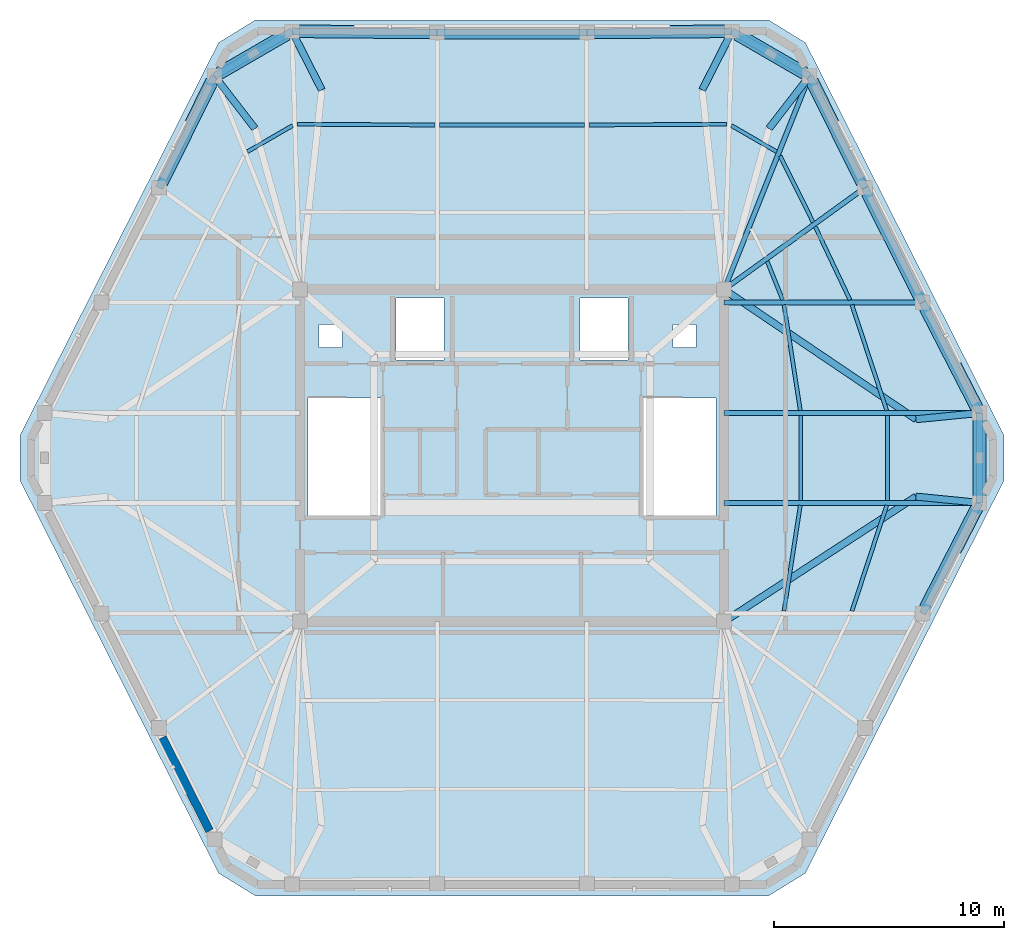
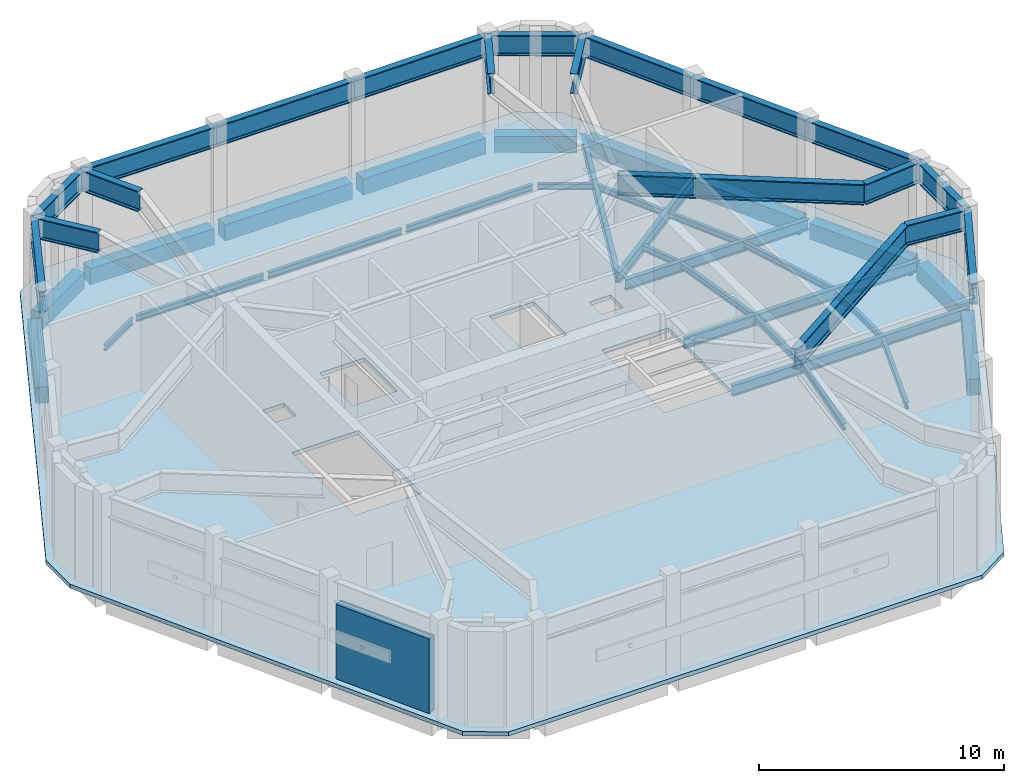
# One storey, part 3 of 6: 49 beams, 1 slab, 1 wall.
"""IFC4 building model written with IfcOpenShell, lengths in metres."""

from ifc_helpers import new_model, si_unit, direction, frame, frame_2d, origin, origin_2d, place, context, subcontext, project, spatial, polyline, rectangle, i_section, outline, extrude, material, layer, layer_set, material_profile, profile_set, type_object, element, save


model = new_model("IFC4")

# Units and contexts
model_context = context("Model", 3, precision=1e-05, world=origin(), true_north=direction((0.0, 1.0)))
body_context = subcontext(model_context, "Body", "Model", "MODEL_VIEW")
ifc_project = project(units=[si_unit("LENGTHUNIT", "METRE"), si_unit("AREAUNIT", "SQUARE_METRE"), si_unit("VOLUMEUNIT", "CUBIC_METRE"), si_unit("PLANEANGLEUNIT", "RADIAN"), si_unit("MASSUNIT", "GRAM", prefix="KILO")], contexts=[model_context])

# Site, building, storey
site_placement = place(None, origin())
site = spatial("IfcSite", under=ifc_project, at=site_placement, CompositionType="ELEMENT")
building_placement = place(site_placement, origin())
building = spatial("IfcBuilding", under=site, at=building_placement, Name="Cinnabar Lancet Tower", CompositionType="ELEMENT")
storey_placement = place(building_placement, frame((0.0, 0.0, 300.5)))
storey = spatial("IfcBuildingStorey", under=building, at=storey_placement, Name="L79", CompositionType="ELEMENT", Elevation=300.5)

# Beams
ifc_material_1 = material(Name="Structural steel S355", Category="steel")
ifc_material_profile_1 = material_profile(ifc_material_1, i_section(OverallWidth=0.1650390625, OverallDepth=0.303466796875, WebThickness=0.006103515625, FlangeThickness=0.01025390625, FilletRadius=0.0087890625, at=origin_2d()), Name="UKB 305x165x40")
ifc_profile_set_1 = profile_set([ifc_material_profile_1], Name="Structural steel S355")
beam_type_1 = type_object("IfcBeamType", Name="STR-BM-JST-305", PredefinedType="JOIST", material=ifc_profile_set_1)
beam_1_placement = place(storey_placement, frame((47.18798828125, 19.137939453125, -0.35205078125), z_axis=(0.312491145371, 0.949920672512, 0.0), x_axis=(-0.949920672512, 0.312491145371, 0.0)))
element("IfcBeam", 1, at=beam_1_placement, inside=storey, type_object=beam_type_1, Name="L79 Secondary Floor Joist 19", PredefinedType="JOIST", context=body_context, shape_type="SweptSolid", body=[
    extrude(i_section(OverallWidth=0.1650390625, OverallDepth=0.303466796875, WebThickness=0.006103515625, FlangeThickness=0.01025390625, FilletRadius=0.0087890625, at=origin_2d()), origin(), (0.0, 0.0, 1.0), 4.8447265625),
])
beam_2_placement = place(storey_placement, frame((44.23291015625, 19.137939453125, -0.35205078125), z_axis=(0.152262059154, 0.988340156698, 0.0), x_axis=(-0.988340156698, 0.152262059154, 0.0)))
element("IfcBeam", 2, at=beam_2_placement, inside=storey, type_object=beam_type_1, Name="L79 Secondary Floor Joist 20", PredefinedType="JOIST", context=body_context, shape_type="SweptSolid", body=[
    extrude(i_section(OverallWidth=0.1650390625, OverallDepth=0.303466796875, WebThickness=0.006103515625, FlangeThickness=0.01025390625, FilletRadius=0.0087890625, at=origin_2d()), origin(), (0.0, 0.0, 1.0), 4.65625),
])
for number, where, z_axis, x_axis, name in (
    (3, (48.737060546875, 23.949951171875, -0.35205078125), (0.0, 1.0, 0.0), (-1.0, 0.0, 0.0), "L79 Secondary Floor Joist 21"),
    (4, (44.958984375, 23.949951171875, -0.35205078125), (0.0, 1.0, 0.0), (-1.0, 0.0, 0.0), "L79 Secondary Floor Joist 22"),
):
    element("IfcBeam", number, at=place(storey_placement, frame(where, z_axis=z_axis, x_axis=x_axis)), inside=storey, type_object=beam_type_1, Name=name, PredefinedType="JOIST", context=body_context, shape_type="SweptSolid", body=[
        extrude(i_section(OverallWidth=0.1650390625, OverallDepth=0.303466796875, WebThickness=0.006103515625, FlangeThickness=0.01025390625, FilletRadius=0.0087890625, at=origin_2d()), origin(), (0.0, 0.0, 1.0), 3.699951171875),
    ])
beam_3_placement = place(storey_placement, frame((48.701904296875, 27.860107421875, -0.35205078125), z_axis=(-0.312506104996, 0.94991575118, 0.0), x_axis=(-0.94991575118, -0.312506104996, 0.0)))
element("IfcBeam", 5, at=beam_3_placement, inside=storey, type_object=beam_type_1, Name="L79 Secondary Floor Joist 23", PredefinedType="JOIST", context=body_context, shape_type="SweptSolid", body=[
    extrude(i_section(OverallWidth=0.1650390625, OverallDepth=0.303466796875, WebThickness=0.006103515625, FlangeThickness=0.01025390625, FilletRadius=0.0087890625, at=origin_2d()), origin(), (0.0, 0.0, 1.0), 4.844482421875),
])
beam_4_placement = place(storey_placement, frame((44.94189453125, 27.860107421875, -0.35205078125), z_axis=(-0.152269949853, 0.988338941038, 0.0), x_axis=(-0.988338941038, -0.152269949853, 0.0)))
element("IfcBeam", 6, at=beam_4_placement, inside=storey, type_object=beam_type_1, Name="L79 Secondary Floor Joist 24", PredefinedType="JOIST", context=body_context, shape_type="SweptSolid", body=[
    extrude(i_section(OverallWidth=0.1650390625, OverallDepth=0.303466796875, WebThickness=0.006103515625, FlangeThickness=0.01025390625, FilletRadius=0.0087890625, at=origin_2d()), origin(), (0.0, 0.0, 1.0), 4.656005859375),
])
beam_5_placement = place(storey_placement, frame((47.10400390625, 32.672119140625, -0.35205078125), z_axis=(-0.428647868514, 0.903471640296, 0.0), x_axis=(-0.903471640296, -0.428647868514, 0.0)))
element("IfcBeam", 7, at=beam_5_placement, inside=storey, type_object=beam_type_1, Name="L79 Secondary Floor Joist 25", PredefinedType="JOIST", context=body_context, shape_type="SweptSolid", body=[
    extrude(i_section(OverallWidth=0.1650390625, OverallDepth=0.303466796875, WebThickness=0.006103515625, FlangeThickness=0.01025390625, FilletRadius=0.0087890625, at=origin_2d()), origin(), (0.0, 0.0, 1.0), 3.53173828125),
])
beam_6_placement = place(storey_placement, frame((44.175048828125, 32.672119140625, -0.35205078125), z_axis=(-0.37155332079, 0.928411616585, 0.0), x_axis=(-0.928411616585, -0.37155332079, 0.0)))
element("IfcBeam", 8, at=beam_6_placement, inside=storey, type_object=beam_type_1, Name="L79 Secondary Floor Joist 26", PredefinedType="JOIST", context=body_context, shape_type="SweptSolid", body=[
    extrude(i_section(OverallWidth=0.1650390625, OverallDepth=0.303466796875, WebThickness=0.006103515625, FlangeThickness=0.01025390625, FilletRadius=0.0087890625, at=origin_2d()), origin(), (0.0, 0.0, 1.0), 1.8115234375),
])
beam_7_placement = place(storey_placement, frame((45.4970703125, 36.054931640625, -0.35205078125), z_axis=(-0.44427059531, 0.895892648783, 0.0), x_axis=(-0.895892648783, -0.44427059531, 0.0)))
element("IfcBeam", 9, at=beam_7_placement, inside=storey, type_object=beam_type_1, Name="L79 Secondary Floor Joist 27", PredefinedType="JOIST", context=body_context, shape_type="SweptSolid", body=[
    extrude(i_section(OverallWidth=0.1650390625, OverallDepth=0.303466796875, WebThickness=0.006103515625, FlangeThickness=0.01025390625, FilletRadius=0.0087890625, at=origin_2d()), origin(), (0.0, 0.0, 1.0), 3.221435546875),
])
beam_8_placement = place(storey_placement, frame((43.912109375, 39.1201171875, -0.35205078125), z_axis=(-0.865426285481, 0.501036270542, 0.0), x_axis=(-0.501036270542, -0.865426285481, 0.0)))
element("IfcBeam", 10, at=beam_8_placement, inside=storey, type_object=beam_type_1, Name="L79 Secondary Floor Joist 29", PredefinedType="JOIST", context=body_context, shape_type="SweptSolid", body=[
    extrude(i_section(OverallWidth=0.1650390625, OverallDepth=0.303466796875, WebThickness=0.006103515625, FlangeThickness=0.01025390625, FilletRadius=0.0087890625, at=origin_2d()), origin(), (0.0, 0.0, 1.0), 2.267333984375),
])
beam_9_placement = place(storey_placement, frame((41.741943359375, 40.31494140625, -0.35205078125), z_axis=(-0.999985712428, -0.005345553266, 0.0), x_axis=(0.005345553266, -0.999985712428, 0.0)))
element("IfcBeam", 11, at=beam_9_placement, inside=storey, type_object=beam_type_1, Name="L79 Secondary Floor Joist 30", PredefinedType="JOIST", context=body_context, shape_type="SweptSolid", body=[
    extrude(i_section(OverallWidth=0.1650390625, OverallDepth=0.303466796875, WebThickness=0.006103515625, FlangeThickness=0.01025390625, FilletRadius=0.0087890625, at=origin_2d()), origin(), (0.0, 0.0, 1.0), 5.98291015625),
])
beam_10_placement = place(storey_placement, frame((35.549072265625, 40.281982421875, -0.35205078125), z_axis=(-1.0, 0.0, 0.0), x_axis=(0.0, -1.0, 0.0)))
element("IfcBeam", 12, at=beam_10_placement, inside=storey, type_object=beam_type_1, Name="L79 Secondary Floor Joist 32", PredefinedType="JOIST", context=body_context, shape_type="SweptSolid", body=[
    extrude(i_section(OverallWidth=0.1650390625, OverallDepth=0.303466796875, WebThickness=0.006103515625, FlangeThickness=0.01025390625, FilletRadius=0.0087890625, at=origin_2d()), origin(), (0.0, 0.0, 1.0), 6.298095703125),
])
beam_11_placement = place(storey_placement, frame((29.041015625, 40.282958984375, -0.35205078125), z_axis=(-0.999985712428, 0.005345553266, 0.0), x_axis=(-0.005345553266, -0.999985712428, 0.0)))
element("IfcBeam", 13, at=beam_11_placement, inside=storey, type_object=beam_type_1, Name="L79 Secondary Floor Joist 34", PredefinedType="JOIST", context=body_context, shape_type="SweptSolid", body=[
    extrude(i_section(OverallWidth=0.1650390625, OverallDepth=0.303466796875, WebThickness=0.006103515625, FlangeThickness=0.01025390625, FilletRadius=0.0087890625, at=origin_2d()), origin(), (0.0, 0.0, 1.0), 5.98291015625),
])
beam_12_placement = place(storey_placement, frame((22.85009765625, 40.256103515625, -0.35205078125), z_axis=(-0.865426285481, -0.501036270542, 0.0), x_axis=(0.501036270542, -0.865426285481, 0.0)))
element("IfcBeam", 14, at=beam_12_placement, inside=storey, type_object=beam_type_1, Name="L79 Secondary Floor Joist 36", PredefinedType="JOIST", context=body_context, shape_type="SweptSolid", body=[
    extrude(i_section(OverallWidth=0.1650390625, OverallDepth=0.303466796875, WebThickness=0.006103515625, FlangeThickness=0.01025390625, FilletRadius=0.0087890625, at=origin_2d()), origin(), (0.0, 0.0, 1.0), 2.267333984375),
])
ifc_material_2 = material(Name="Concrete C50/60", Category="concrete")
ifc_material_profile_2 = material_profile(ifc_material_2, rectangle(XDim=0.550048828125, YDim=0.800048828125, at=origin_2d()), Name="RC-SB 550x800")
ifc_profile_set_2 = profile_set([ifc_material_profile_2], Name="Concrete C50/60")
beam_type_2 = type_object("IfcBeamType", Name="STR-BM-RCSB-800", PredefinedType="SPANDREL", material=ifc_profile_set_2)
beam_13_placement = place(storey_placement, frame((50.3779296875, 19.2548828125, -0.60009765625), z_axis=(0.457127852293, 0.889400993174, 0.0), x_axis=(-0.889400993174, 0.457127852293, 0.0)))
element("IfcBeam", 15, at=beam_13_placement, inside=storey, type_object=beam_type_2, Name="L79 Perimeter Spandrel 7", PredefinedType="SPANDREL", context=body_context, shape_type="SweptSolid", body=[
    extrude(rectangle(XDim=0.550048828125, YDim=0.800048828125, at=origin_2d()), origin(), (0.0, 0.0, 1.0), 4.911376953125),
])
beam_14_placement = place(storey_placement, frame((52.737060546875, 24.094970703125, -0.60009765625), z_axis=(0.0, 1.0, 0.0), x_axis=(-1.0, 0.0, 0.0)))
element("IfcBeam", 16, at=beam_14_placement, inside=storey, type_object=beam_type_2, Name="L79 Perimeter Spandrel 8", PredefinedType="SPANDREL", context=body_context, shape_type="SweptSolid", body=[
    extrude(rectangle(XDim=0.550048828125, YDim=0.800048828125, at=origin_2d()), origin(), (0.0, 0.0, 1.0), 3.409912109375),
])
beam_15_placement = place(storey_placement, frame((52.623046875, 27.97705078125, -0.60009765625), z_axis=(-0.457148063427, 0.889390604912, 0.0), x_axis=(-0.889390604912, -0.457148063427, 0.0)))
element("IfcBeam", 17, at=beam_15_placement, inside=storey, type_object=beam_type_2, Name="L79 Perimeter Spandrel 9", PredefinedType="SPANDREL", context=body_context, shape_type="SweptSolid", body=[
    extrude(rectangle(XDim=0.550048828125, YDim=0.800048828125, at=origin_2d()), origin(), (0.0, 0.0, 1.0), 4.9111328125),
])
beam_16_placement = place(storey_placement, frame((50.15087890625, 32.7900390625, -0.60009765625), z_axis=(-0.450091864122, 0.892982258419, 0.0), x_axis=(-0.892982258419, -0.450091864122, 0.0)))
element("IfcBeam", 18, at=beam_16_placement, inside=storey, type_object=beam_type_2, Name="L79 Perimeter Spandrel 10", PredefinedType="SPANDREL", context=body_context, shape_type="SweptSolid", body=[
    extrude(rectangle(XDim=0.550048828125, YDim=0.800048828125, at=origin_2d()), origin(), (0.0, 0.0, 1.0), 5.085205078125),
])
beam_17_placement = place(storey_placement, frame((47.637939453125, 37.778076171875, -0.60009765625), z_axis=(-0.444372599207, 0.895842058107, 0.0), x_axis=(-0.895842058107, -0.444372599207, 0.0)))
element("IfcBeam", 19, at=beam_17_placement, inside=storey, type_object=beam_type_2, Name="L79 Perimeter Spandrel 11", PredefinedType="SPANDREL", context=body_context, shape_type="SweptSolid", body=[
    extrude(rectangle(XDim=0.550048828125, YDim=0.800048828125, at=origin_2d()), origin(), (0.0, 0.0, 1.0), 4.91943359375),
])
beam_18_placement = place(storey_placement, frame((45.125, 42.533935546875, -0.60009765625), z_axis=(-0.865199693264, 0.501427453153, 0.0), x_axis=(-0.501427453153, -0.865199693264, 0.0)))
element("IfcBeam", 20, at=beam_18_placement, inside=storey, type_object=beam_type_2, Name="L79 Perimeter Spandrel 12", PredefinedType="SPANDREL", context=body_context, shape_type="SweptSolid", body=[
    extrude(rectangle(XDim=0.550048828125, YDim=0.800048828125, at=origin_2d()), origin(), (0.0, 0.0, 1.0), 3.39453125),
])
beam_19_placement = place(storey_placement, frame((41.721923828125, 44.35888671875, -0.60009765625), z_axis=(-0.999964782464, -0.008392486634, 0.0), x_axis=(0.008392486634, -0.999964782464, 0.0)))
element("IfcBeam", 21, at=beam_19_placement, inside=storey, type_object=beam_type_2, Name="L79 Perimeter Spandrel 13", PredefinedType="SPANDREL", context=body_context, shape_type="SweptSolid", body=[
    extrude(rectangle(XDim=0.550048828125, YDim=0.800048828125, at=origin_2d()), origin(), (0.0, 0.0, 1.0), 5.818115234375),
])
beam_20_placement = place(storey_placement, frame((35.404052734375, 44.30810546875, -0.60009765625), z_axis=(-1.0, 0.0, 0.0), x_axis=(0.0, -1.0, 0.0)))
element("IfcBeam", 22, at=beam_20_placement, inside=storey, type_object=beam_type_2, Name="L79 Perimeter Spandrel 14", PredefinedType="SPANDREL", context=body_context, shape_type="SweptSolid", body=[
    extrude(rectangle(XDim=0.550048828125, YDim=0.800048828125, at=origin_2d()), origin(), (0.0, 0.0, 1.0), 6.008056640625),
])
beam_21_placement = place(storey_placement, frame((28.89599609375, 44.31005859375, -0.60009765625), z_axis=(-0.999964785419, 0.008392134492, 0.0), x_axis=(-0.008392134492, -0.999964785419, 0.0)))
element("IfcBeam", 23, at=beam_21_placement, inside=storey, type_object=beam_type_2, Name="L79 Perimeter Spandrel 15", PredefinedType="SPANDREL", context=body_context, shape_type="SweptSolid", body=[
    extrude(rectangle(XDim=0.550048828125, YDim=0.800048828125, at=origin_2d()), origin(), (0.0, 0.0, 1.0), 5.818359375),
])
beam_22_placement = place(storey_placement, frame((22.612060546875, 44.236083984375, -0.60009765625), z_axis=(-0.865199693264, -0.501427453153, 0.0), x_axis=(0.501427453153, -0.865199693264, 0.0)))
element("IfcBeam", 24, at=beam_22_placement, inside=storey, type_object=beam_type_2, Name="L79 Perimeter Spandrel 16", PredefinedType="SPANDREL", context=body_context, shape_type="SweptSolid", body=[
    extrude(rectangle(XDim=0.550048828125, YDim=0.800048828125, at=origin_2d()), origin(), (0.0, 0.0, 1.0), 3.39453125),
])
beam_23_placement = place(storey_placement, frame((19.347900390625, 42.18505859375, -0.60009765625), z_axis=(-0.44433276947, -0.895861814107, 0.0), x_axis=(0.895861814107, -0.44433276947, 0.0)))
element("IfcBeam", 25, at=beam_23_placement, inside=storey, type_object=beam_type_2, Name="L79 Perimeter Spandrel 17", PredefinedType="SPANDREL", context=body_context, shape_type="SweptSolid", body=[
    extrude(rectangle(XDim=0.550048828125, YDim=0.800048828125, at=origin_2d()), origin(), (0.0, 0.0, 1.0), 4.919189453125),
])
ifc_material_3 = material(Name="Structural steel S460", Category="steel")
ifc_material_profile_3 = material_profile(ifc_material_3, i_section(OverallWidth=0.305419921875, OverallDepth=1.02587890625, WebThickness=0.02685546875, FlangeThickness=0.049072265625, FilletRadius=0.030029296875, at=origin_2d()), Name="UKB 1016x305x437")
ifc_profile_set_3 = profile_set([ifc_material_profile_3], Name="Structural steel S460")
beam_type_3 = type_object("IfcBeamType", Name="STR-BM-UKB1016-437", PredefinedType="BEAM", material=ifc_profile_set_3)
beam_24_placement = place(storey_placement, frame((50.263916015625, 19.032958984375, 4.237060546875), z_axis=(0.457113487968, 0.889408375898, 0.0), x_axis=(-0.889408375898, 0.457113487968, 0.0)))
element("IfcBeam", 26, at=beam_24_placement, inside=storey, type_object=beam_type_3, Name="L80 Setback Outer Ring Girder 7", PredefinedType="BEAM", context=body_context, shape_type="SweptSolid", body=[
    extrude(i_section(OverallWidth=0.305419921875, OverallDepth=1.02587890625, WebThickness=0.02685546875, FlangeThickness=0.049072265625, FilletRadius=0.030029296875, at=origin_2d()), origin(), (0.0, 0.0, 1.0), 5.410400390625),
])
beam_25_placement = place(storey_placement, frame((52.737060546875, 23.844970703125, 4.237060546875), z_axis=(0.0, 1.0, 0.0), x_axis=(-1.0, 0.0, 0.0)))
element("IfcBeam", 27, at=beam_25_placement, inside=storey, type_object=beam_type_3, Name="L80 Setback Outer Ring Girder 8", PredefinedType="BEAM", context=body_context, shape_type="SweptSolid", body=[
    extrude(i_section(OverallWidth=0.305419921875, OverallDepth=1.02587890625, WebThickness=0.02685546875, FlangeThickness=0.049072265625, FilletRadius=0.030029296875, at=origin_2d()), origin(), (0.0, 0.0, 1.0), 3.909912109375),
])
beam_26_placement = place(storey_placement, frame((52.737060546875, 27.7548828125, 4.237060546875), z_axis=(-0.457113487968, 0.889408375898, 0.0), x_axis=(-0.889408375898, -0.457113487968, 0.0)))
element("IfcBeam", 28, at=beam_26_placement, inside=storey, type_object=beam_type_3, Name="L80 Setback Outer Ring Girder 9", PredefinedType="BEAM", context=body_context, shape_type="SweptSolid", body=[
    extrude(i_section(OverallWidth=0.305419921875, OverallDepth=1.02587890625, WebThickness=0.02685546875, FlangeThickness=0.049072265625, FilletRadius=0.030029296875, at=origin_2d()), origin(), (0.0, 0.0, 1.0), 5.410400390625),
])
beam_27_placement = place(storey_placement, frame((50.263916015625, 32.56689453125, 4.237060546875), z_axis=(-0.450270774209, 0.892892059486, 0.0), x_axis=(-0.892892059486, -0.450270774209, 0.0)))
element("IfcBeam", 29, at=beam_27_placement, inside=storey, type_object=beam_type_3, Name="L80 Setback Outer Ring Girder 10", PredefinedType="BEAM", context=body_context, shape_type="SweptSolid", body=[
    extrude(i_section(OverallWidth=0.305419921875, OverallDepth=1.02587890625, WebThickness=0.02685546875, FlangeThickness=0.049072265625, FilletRadius=0.030029296875, at=origin_2d()), origin(), (0.0, 0.0, 1.0), 5.585205078125),
])
beam_28_placement = place(storey_placement, frame((47.7490234375, 37.553955078125, 4.237060546875), z_axis=(-0.444328072488, 0.895864143718, 0.0), x_axis=(-0.895864143718, -0.444328072488, 0.0)))
element("IfcBeam", 30, at=beam_28_placement, inside=storey, type_object=beam_type_3, Name="L80 Setback Outer Ring Girder 11", PredefinedType="BEAM", context=body_context, shape_type="SweptSolid", body=[
    extrude(i_section(OverallWidth=0.305419921875, OverallDepth=1.02587890625, WebThickness=0.02685546875, FlangeThickness=0.049072265625, FilletRadius=0.030029296875, at=origin_2d()), origin(), (0.0, 0.0, 1.0), 5.41943359375),
])
beam_29_placement = place(storey_placement, frame((45.341064453125, 42.408935546875, 4.237060546875), z_axis=(-0.865248800318, 0.501342710677, 0.0), x_axis=(-0.501342710677, -0.865248800318, 0.0)))
element("IfcBeam", 31, at=beam_29_placement, inside=storey, type_object=beam_type_3, Name="L80 Setback Outer Ring Girder 12", PredefinedType="BEAM", context=body_context, shape_type="SweptSolid", body=[
    extrude(i_section(OverallWidth=0.305419921875, OverallDepth=1.02587890625, WebThickness=0.02685546875, FlangeThickness=0.049072265625, FilletRadius=0.030029296875, at=origin_2d()), origin(), (0.0, 0.0, 1.0), 3.893798828125),
])
beam_30_placement = place(storey_placement, frame((41.971923828125, 44.361083984375, 4.237060546875), z_axis=(-0.999964843539, -0.008385206393, 0.0), x_axis=(0.008385206393, -0.999964843539, 0.0)))
element("IfcBeam", 32, at=beam_30_placement, inside=storey, type_object=beam_type_3, Name="L80 Setback Outer Ring Girder 13", PredefinedType="BEAM", context=body_context, shape_type="SweptSolid", body=[
    extrude(i_section(OverallWidth=0.305419921875, OverallDepth=1.02587890625, WebThickness=0.02685546875, FlangeThickness=0.049072265625, FilletRadius=0.030029296875, at=origin_2d()), origin(), (0.0, 0.0, 1.0), 6.318115234375),
])
beam_31_placement = place(storey_placement, frame((35.654052734375, 44.30810546875, 4.237060546875), z_axis=(-1.0, 0.0, 0.0), x_axis=(0.0, -1.0, 0.0)))
element("IfcBeam", 33, at=beam_31_placement, inside=storey, type_object=beam_type_3, Name="L80 Setback Outer Ring Girder 14", PredefinedType="BEAM", context=body_context, shape_type="SweptSolid", body=[
    extrude(i_section(OverallWidth=0.305419921875, OverallDepth=1.02587890625, WebThickness=0.02685546875, FlangeThickness=0.049072265625, FilletRadius=0.030029296875, at=origin_2d()), origin(), (0.0, 0.0, 1.0), 6.508056640625),
])
beam_32_placement = place(storey_placement, frame((29.14599609375, 44.30810546875, 4.237060546875), z_axis=(-0.999964846256, 0.0083848824, 0.0), x_axis=(-0.0083848824, -0.999964846256, 0.0)))
element("IfcBeam", 34, at=beam_32_placement, inside=storey, type_object=beam_type_3, Name="L80 Setback Outer Ring Girder 15", PredefinedType="BEAM", context=body_context, shape_type="SweptSolid", body=[
    extrude(i_section(OverallWidth=0.305419921875, OverallDepth=1.02587890625, WebThickness=0.02685546875, FlangeThickness=0.049072265625, FilletRadius=0.030029296875, at=origin_2d()), origin(), (0.0, 0.0, 1.0), 6.318359375),
])
beam_33_placement = place(storey_placement, frame((22.827880859375, 44.361083984375, 4.237060546875), z_axis=(-0.865233039938, -0.501369909946, 0.0), x_axis=(0.501369909946, -0.865233039938, 0.0)))
element("IfcBeam", 35, at=beam_33_placement, inside=storey, type_object=beam_type_3, Name="L80 Setback Outer Ring Girder 16", PredefinedType="BEAM", context=body_context, shape_type="SweptSolid", body=[
    extrude(i_section(OverallWidth=0.305419921875, OverallDepth=1.02587890625, WebThickness=0.02685546875, FlangeThickness=0.049072265625, FilletRadius=0.030029296875, at=origin_2d()), origin(), (0.0, 0.0, 1.0), 3.8935546875),
])
beam_34_placement = place(storey_placement, frame((19.458984375, 42.408935546875, 4.237060546875), z_axis=(-0.444328072488, -0.895864143718, 0.0), x_axis=(0.895864143718, -0.444328072488, 0.0)))
element("IfcBeam", 36, at=beam_34_placement, inside=storey, type_object=beam_type_3, Name="L80 Setback Outer Ring Girder 17", PredefinedType="BEAM", context=body_context, shape_type="SweptSolid", body=[
    extrude(i_section(OverallWidth=0.305419921875, OverallDepth=1.02587890625, WebThickness=0.02685546875, FlangeThickness=0.049072265625, FilletRadius=0.030029296875, at=origin_2d()), origin(), (0.0, 0.0, 1.0), 5.41943359375),
])
beam_35_placement = place(storey_placement, frame((52.737060546875, 23.844970703125, 4.237060546875), z_axis=(-0.995194322094, 0.097919667445, 0.0), x_axis=(-0.097919667445, -0.995194322094, 0.0)))
element("IfcBeam", 37, at=beam_35_placement, inside=storey, type_object=beam_type_3, Name="L80 Crown Setback Strut Girder 4", PredefinedType="BEAM", context=body_context, shape_type="SweptSolid", body=[
    extrude(i_section(OverallWidth=0.305419921875, OverallDepth=1.02587890625, WebThickness=0.02685546875, FlangeThickness=0.049072265625, FilletRadius=0.030029296875, at=origin_2d()), origin(), (0.0, 0.0, 1.0), 2.777587890625),
])
beam_36_placement = place(storey_placement, frame((49.972900390625, 24.116943359375, 4.237060546875), z_axis=(-0.837720243999, -0.546099618013, 0.0), x_axis=(0.546099618013, -0.837720243999, 0.0)))
element("IfcBeam", 38, at=beam_36_placement, inside=storey, type_object=beam_type_3, Name="L80 Crown Setback Radial Girder 4", PredefinedType="BEAM", context=body_context, shape_type="SweptSolid", body=[
    extrude(i_section(OverallWidth=0.305419921875, OverallDepth=1.02587890625, WebThickness=0.02685546875, FlangeThickness=0.049072265625, FilletRadius=0.030029296875, at=origin_2d()), origin(), (0.0, 0.0, 1.0), 9.965087890625),
])
beam_37_placement = place(storey_placement, frame((52.737060546875, 27.7548828125, 4.237060546875), z_axis=(-0.995194322094, -0.097919667445, 0.0), x_axis=(0.097919667445, -0.995194322094, 0.0)))
element("IfcBeam", 39, at=beam_37_placement, inside=storey, type_object=beam_type_3, Name="L80 Crown Setback Strut Girder 5", PredefinedType="BEAM", context=body_context, shape_type="SweptSolid", body=[
    extrude(i_section(OverallWidth=0.305419921875, OverallDepth=1.02587890625, WebThickness=0.02685546875, FlangeThickness=0.049072265625, FilletRadius=0.030029296875, at=origin_2d()), origin(), (0.0, 0.0, 1.0), 2.777587890625),
])
beam_38_placement = place(storey_placement, frame((49.972900390625, 27.48291015625, 4.237060546875), z_axis=(-0.828514532081, 0.559967561676, 0.0), x_axis=(-0.559967561676, -0.828514532081, 0.0)))
element("IfcBeam", 40, at=beam_38_placement, inside=storey, type_object=beam_type_3, Name="L80 Crown Setback Radial Girder 5", PredefinedType="BEAM", context=body_context, shape_type="SweptSolid", body=[
    extrude(i_section(OverallWidth=0.305419921875, OverallDepth=1.02587890625, WebThickness=0.02685546875, FlangeThickness=0.049072265625, FilletRadius=0.030029296875, at=origin_2d()), origin(), (0.0, 0.0, 1.0), 10.07568359375),
])
beam_39_placement = place(storey_placement, frame((45.341064453125, 42.408935546875, 4.237060546875), z_axis=(-0.611418534701, -0.791307383653, 0.0), x_axis=(0.791307383653, -0.611418534701, 0.0)))
element("IfcBeam", 41, at=beam_39_placement, inside=storey, type_object=beam_type_3, Name="L80 Crown Setback Strut Girder 6", PredefinedType="BEAM", context=body_context, shape_type="SweptSolid", body=[
    extrude(i_section(OverallWidth=0.305419921875, OverallDepth=1.02587890625, WebThickness=0.02685546875, FlangeThickness=0.049072265625, FilletRadius=0.030029296875, at=origin_2d()), origin(), (0.0, 0.0, 1.0), 2.878662109375),
])
beam_40_placement = place(storey_placement, frame((41.971923828125, 44.361083984375, 4.237060546875), z_axis=(-0.453313332326, -0.891351234214, 0.0), x_axis=(0.891351234214, -0.453313332326, 0.0)))
element("IfcBeam", 42, at=beam_40_placement, inside=storey, type_object=beam_type_3, Name="L80 Crown Setback Strut Girder 7", PredefinedType="BEAM", context=body_context, shape_type="SweptSolid", body=[
    extrude(i_section(OverallWidth=0.305419921875, OverallDepth=1.02587890625, WebThickness=0.02685546875, FlangeThickness=0.049072265625, FilletRadius=0.030029296875, at=origin_2d()), origin(), (0.0, 0.0, 1.0), 2.86083984375),
])
beam_41_placement = place(storey_placement, frame((22.827880859375, 44.361083984375, 4.237060546875), z_axis=(0.453381129715, -0.89131675134, 0.0), x_axis=(0.89131675134, 0.453381129715, 0.0)))
element("IfcBeam", 43, at=beam_41_placement, inside=storey, type_object=beam_type_3, Name="L80 Crown Setback Strut Girder 8", PredefinedType="BEAM", context=body_context, shape_type="SweptSolid", body=[
    extrude(i_section(OverallWidth=0.305419921875, OverallDepth=1.02587890625, WebThickness=0.02685546875, FlangeThickness=0.049072265625, FilletRadius=0.030029296875, at=origin_2d()), origin(), (0.0, 0.0, 1.0), 2.861083984375),
])
beam_42_placement = place(storey_placement, frame((19.458984375, 42.408935546875, 4.237060546875), z_axis=(0.611418534701, -0.791307383653, 0.0), x_axis=(0.791307383653, 0.611418534701, 0.0)))
element("IfcBeam", 44, at=beam_42_placement, inside=storey, type_object=beam_type_3, Name="L80 Crown Setback Strut Girder 9", PredefinedType="BEAM", context=body_context, shape_type="SweptSolid", body=[
    extrude(i_section(OverallWidth=0.305419921875, OverallDepth=1.02587890625, WebThickness=0.02685546875, FlangeThickness=0.049072265625, FilletRadius=0.030029296875, at=origin_2d()), origin(), (0.0, 0.0, 1.0), 2.878662109375),
])
ifc_material_4 = material(Name="Structural steel S355", Category="steel")
ifc_material_profile_4 = material_profile(ifc_material_4, i_section(OverallWidth=0.209228515625, OverallDepth=0.533203125, WebThickness=0.010009765625, FlangeThickness=0.015625, FilletRadius=0.0126953125, at=origin_2d()), Name="UKB 533x210x92")
ifc_profile_set_4 = profile_set([ifc_material_profile_4], Name="Structural steel S355")
beam_type_4 = type_object("IfcBeamType", Name="STR-BM-UKB533-92", PredefinedType="BEAM", material=ifc_profile_set_4)
beam_43_placement = place(storey_placement, frame((47.7490234375, 37.553955078125, -0.467041015625), z_axis=(-0.810299148474, -0.586016458797, 0.0), x_axis=(0.586016458797, -0.810299148474, 0.0)))
element("IfcBeam", 45, at=beam_43_placement, inside=storey, type_object=beam_type_4, Name="L79 Corner Collector Girder 3", PredefinedType="BEAM", context=body_context, shape_type="SweptSolid", body=[
    extrude(i_section(OverallWidth=0.209228515625, OverallDepth=0.533203125, WebThickness=0.010009765625, FlangeThickness=0.015625, FilletRadius=0.0126953125, at=origin_2d()), origin(), (0.0, 0.0, 1.0), 7.5576171875),
])
for number, where, z_axis, x_axis, name in (
    (46, (52.737060546875, 23.844970703125, -0.467041015625), (-1.0, 0.0, 0.0), (0.0, -1.0, 0.0), "L79 Primary Floor Girder 8"),
    (47, (52.737060546875, 27.7548828125, -0.467041015625), (-1.0, 0.0, 0.0), (0.0, -1.0, 0.0), "L79 Primary Floor Girder 9"),
):
    element("IfcBeam", number, at=place(storey_placement, frame(where, z_axis=z_axis, x_axis=x_axis)), inside=storey, type_object=beam_type_4, Name=name, PredefinedType="BEAM", context=body_context, shape_type="SweptSolid", body=[
        extrude(i_section(OverallWidth=0.209228515625, OverallDepth=0.533203125, WebThickness=0.010009765625, FlangeThickness=0.015625, FilletRadius=0.0126953125, at=origin_2d()), origin(), (0.0, 0.0, 1.0), 11.112060546875),
    ])
beam_44_placement = place(storey_placement, frame((50.263916015625, 32.56689453125, -0.467041015625), z_axis=(-1.0, 0.0, 0.0), x_axis=(0.0, -1.0, 0.0)))
element("IfcBeam", 48, at=beam_44_placement, inside=storey, type_object=beam_type_4, Name="L79 Primary Floor Girder 10", PredefinedType="BEAM", context=body_context, shape_type="SweptSolid", body=[
    extrude(i_section(OverallWidth=0.209228515625, OverallDepth=0.533203125, WebThickness=0.010009765625, FlangeThickness=0.015625, FilletRadius=0.0126953125, at=origin_2d()), origin(), (0.0, 0.0, 1.0), 8.638916015625),
])
beam_45_placement = place(storey_placement, frame((45.341064453125, 42.408935546875, -0.467041015625), z_axis=(-0.371605341166, -0.928390796172, 0.0), x_axis=(0.928390796172, -0.371605341166, 0.0)))
element("IfcBeam", 49, at=beam_45_placement, inside=storey, type_object=beam_type_4, Name="L79 Primary Floor Girder 12", PredefinedType="BEAM", context=body_context, shape_type="SweptSolid", body=[
    extrude(i_section(OverallWidth=0.209228515625, OverallDepth=0.533203125, WebThickness=0.010009765625, FlangeThickness=0.015625, FilletRadius=0.0126953125, at=origin_2d()), origin(), (0.0, 0.0, 1.0), 10.0),
])

# Slab
ifc_material_5 = material(Name="Concrete C40/50", Category="concrete")
ifc_layer_1 = layer(ifc_material_5, 0.199951171875)
ifc_layer_set_1 = layer_set([ifc_layer_1], Name="Concrete C40/50")
slab_type = type_object("IfcSlabType", Name="STR-SLB-FLR-200", PredefinedType="FLOOR", material=ifc_layer_set_1)
slab_placement = place(storey_placement, frame((0.0, 0.0, -0.199951171875)))
element("IfcSlab", 50, at=slab_placement, inside=storey, type_object=slab_type, Name="L79 Structural Floor Slab", PredefinedType="FLOOR", context=body_context, shape_type="SweptSolid", body=[
    extrude(outline(polyline([(19.638916015625, 7.73193359375), (21.236083984375, 6.75), (43.56396484375, 6.75), (45.160888671875, 7.73193359375), (53.802978515625, 24.818115234375), (53.802978515625, 26.781982421875), (45.160888671875, 43.867919921875), (43.56396484375, 44.85009765625), (21.236083984375, 44.85009765625), (19.638916015625, 43.867919921875), (10.9970703125, 26.781982421875), (10.9970703125, 24.818115234375), (19.638916015625, 7.73193359375)]), holes=[polyline([(23.52490234375, 23.25), (26.675048828125, 23.25), (26.675048828125, 28.3994140625), (23.52490234375, 28.3994140625), (23.52490234375, 23.25)]), polyline([(38.125, 23.25), (41.27490234375, 23.25), (41.27490234375, 28.3994140625), (38.125, 28.3994140625), (38.125, 23.25)]), polyline([(27.35009765625, 30.050048828125), (29.449951171875, 30.050048828125), (29.449951171875, 32.75), (27.35009765625, 32.75), (27.35009765625, 30.050048828125)]), polyline([(35.35009765625, 30.050048828125), (37.449951171875, 30.050048828125), (37.449951171875, 32.75), (35.35009765625, 32.75), (35.35009765625, 30.050048828125)]), polyline([(24.0, 30.60009765625), (25.0, 30.60009765625), (25.0, 31.60009765625), (24.0, 31.60009765625), (24.0, 30.60009765625)]), polyline([(39.39990234375, 30.60009765625), (40.39990234375, 30.60009765625), (40.39990234375, 31.60009765625), (39.39990234375, 31.60009765625), (39.39990234375, 30.60009765625)])]), origin(), (0.0, 0.0, 1.0), 0.199951171875),
])

# Wall
ifc_material_6 = material(Name="Dark charcoal engineering brick", Category="masonry")
ifc_layer_2 = layer(ifc_material_6, 0.360107421875)
ifc_layer_set_2 = layer_set([ifc_layer_2], Name="Dark charcoal engineering brick")
wall_type = type_object("IfcWallType", Name="ENV-WL-BRK-CHR-360", PredefinedType="STANDARD", material=ifc_layer_set_2)
wall_placement = place(storey_placement, frame((17.19091796875, 13.635986328125, 0.0), z_axis=(0.0, 0.0, 1.0), x_axis=(0.451330883617, -0.892356673922, 0.0)))
element("IfcWall", 51, at=wall_placement, inside=storey, type_object=wall_type, Name="L79 Face 6 Masonry Bay Wall 4", PredefinedType="STANDARD", context=body_context, shape_type="SweptSolid", body=[
    extrude(rectangle(XDim=4.548828125, YDim=0.360107421875, at=frame_2d((2.2744140625, 0.0))), origin(), (0.0, 0.0, 1.0), 3.714111328125),
])

save(model, "model.ifc")
